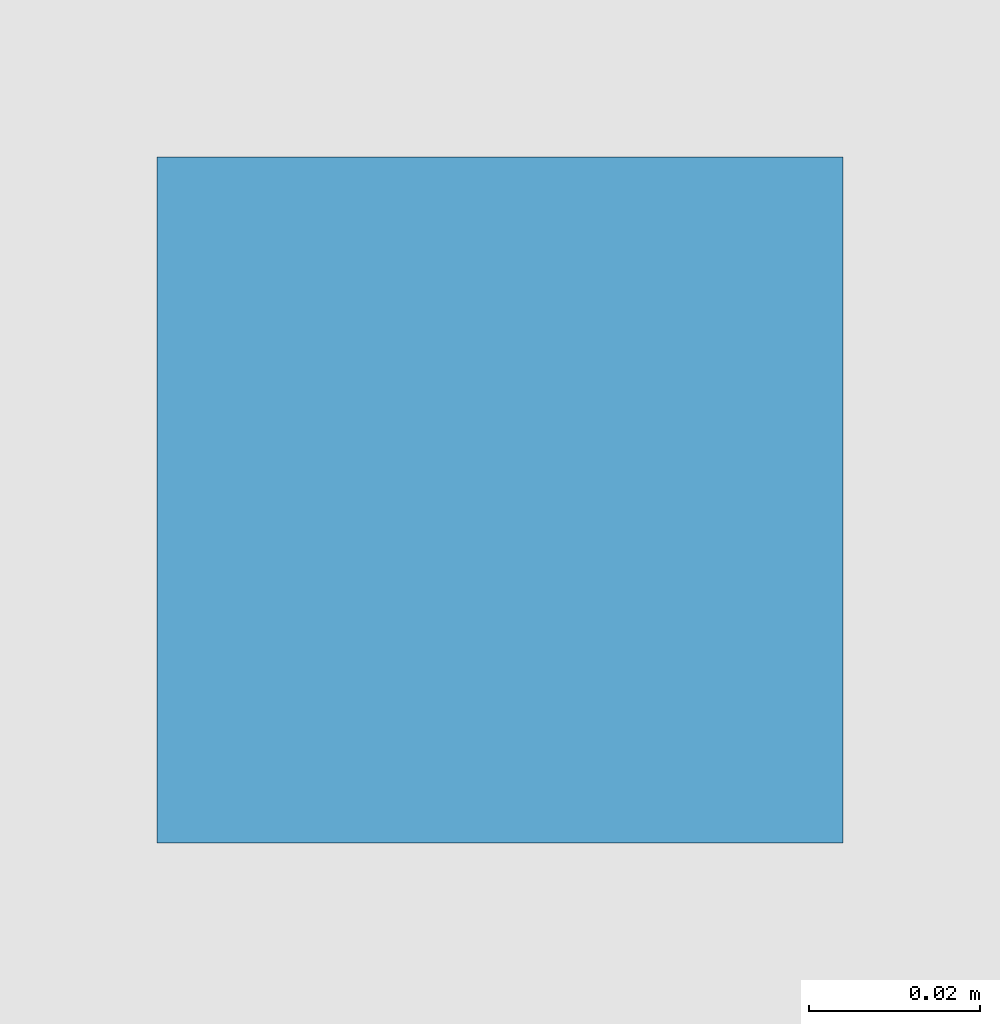
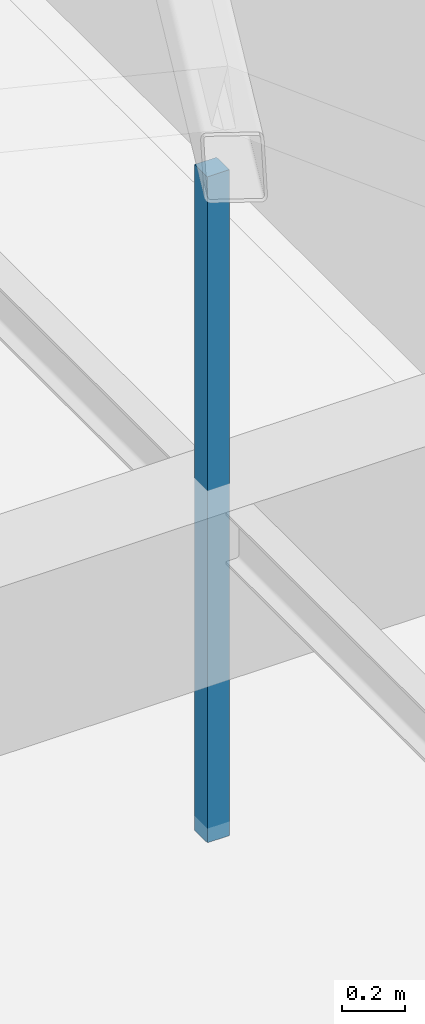
# One storey, part 64 of 65: 1 discrete accessory.
"""IFC4 building model written with IfcOpenShell, lengths in metres."""

import ifcopenshell
import ifcopenshell.guid

model = None  # the IFC model being written
_history = None  # IfcOwnerHistory: only IFC2X3 demands one
_inside = {}  # id of a spatial element -> (the spatial element, [elements in it])
_under = {}  # id of a project, library or spatial element -> (it, [spatial elements below it])
_declared = {}  # id of a project -> (the project, [libraries it declares])
_typed = {}  # id of a type object -> (the type object, [elements of that type])
_made_of = {}  # id of a material, layer set ... -> (it, [elements and type objects made of it])


def new_model(schema):
    """Start an empty IFC model of exactly this schema.

    Asked for "IFC4X3", IfcOpenShell would pick the latest addendum, in which some entities
    have other attributes; the version numbers below select the first issue.
    IFC2X3 requires an IfcOwnerHistory on every rooted entity: one is made here for all.
    """
    global model, _history
    if schema == "IFC4X3":
        model = ifcopenshell.file(schema_version=(4, 3, 0, 0))
    else:
        model = ifcopenshell.file(schema=schema)
    _inside.clear()
    _under.clear()
    _declared.clear()
    _typed.clear()
    _made_of.clear()
    _history = None
    if model.schema == "IFC2X3":
        org = make("IfcOrganization", Name="unknown")
        user = make(
            "IfcPersonAndOrganization",
            ThePerson=make("IfcPerson", FamilyName="unknown"),
            TheOrganization=org,
        )
        app = make(
            "IfcApplication",
            ApplicationDeveloper=org,
            Version="unknown",
            ApplicationFullName="unknown",
            ApplicationIdentifier="unknown",
        )
        _history = make(
            "IfcOwnerHistory",
            OwningUser=user,
            OwningApplication=app,
            ChangeAction="ADDED",
            CreationDate=0,
        )
    return model


def make(cls, **values):
    """One entity of the class cls with the attributes given. An attribute that is None is left unset."""
    return model.create_entity(
        cls, **{name: value for name, value in values.items() if value is not None}
    )


def rooted(cls, **values):
    """An entity with a GlobalId (a new one), such as an element, a storey or a relation."""
    return make(cls, GlobalId=ifcopenshell.guid.new(), OwnerHistory=_history, **values)


def si_unit(unit_type, name, prefix=None):
    """IfcSIUnit, for example si_unit("LENGTHUNIT", "METRE", prefix="MILLI")."""
    return make("IfcSIUnit", UnitType=unit_type, Prefix=prefix, Name=name)


def assignment(units):
    """IfcUnitAssignment: the units of a project."""
    return None if units is None else make("IfcUnitAssignment", Units=units)


def point(xyz):
    """IfcCartesianPoint."""
    return None if xyz is None else make("IfcCartesianPoint", Coordinates=xyz)


def direction(xyz):
    """IfcDirection."""
    return None if xyz is None else make("IfcDirection", DirectionRatios=xyz)


def frame(location, z_axis=None, x_axis=None):
    """IfcAxis2Placement3D, a coordinate frame: its origin and axes. An axis left out is left unset."""
    return make(
        "IfcAxis2Placement3D",
        Location=point(location),
        Axis=direction(z_axis),
        RefDirection=direction(x_axis),
    )


def frame_2d(location, x_axis=None):
    """IfcAxis2Placement2D, a coordinate frame in the plane: its origin and x axis."""
    return make(
        "IfcAxis2Placement2D", Location=point(location), RefDirection=direction(x_axis)
    )


def origin():
    """The frame at (0, 0, 0) with its axes left unset."""
    return frame((0.0, 0.0, 0.0))


def origin_2d():
    """The frame at (0, 0) in the plane with its x axis left unset."""
    return frame_2d((0.0, 0.0))


def place(relative_to, where):
    """IfcLocalPlacement: puts the frame where relative to a parent placement (None: the world)."""
    return make(
        "IfcLocalPlacement", PlacementRelTo=relative_to, RelativePlacement=where
    )


def context(
    kind, dimensions, precision=None, world=None, true_north=None, identifier=None
):
    """IfcGeometricRepresentationContext, for example the 3D "Model" context."""
    return make(
        "IfcGeometricRepresentationContext",
        ContextIdentifier=identifier,
        ContextType=kind,
        CoordinateSpaceDimension=dimensions,
        Precision=precision,
        WorldCoordinateSystem=world,
        TrueNorth=true_north,
    )


def subcontext(parent, identifier, kind, view, scale=None):
    """IfcGeometricRepresentationSubContext, for example "Body" below "Model"."""
    return make(
        "IfcGeometricRepresentationSubContext",
        ContextIdentifier=identifier,
        ContextType=kind,
        ParentContext=parent,
        TargetScale=scale,
        TargetView=view,
    )


def project(units=None, contexts=None):
    """IfcProject with its units and contexts."""
    return rooted(
        "IfcProject",
        Name="project",
        RepresentationContexts=contexts,
        UnitsInContext=assignment(units),
    )


def spatial(cls, under=None, at=None, **own):
    """A site, building, storey or space (cls), placed at a placement, below another one or the project."""
    s = rooted(cls, ObjectPlacement=at, **own)
    if under is not None:
        _under.setdefault(under.id(), (under, []))[1].append(s)
    return s


def profile(cls, at=None, kind="AREA", **sizes):
    """A parametric profile (cls). Its sizes go by their IFC names, for example OverallWidth=200.0."""
    return make(cls, ProfileType=kind, Position=at, **sizes)


def rectangle(**sizes):
    """IfcRectangleProfileDef."""
    return profile("IfcRectangleProfileDef", **sizes)


def extrude(swept, where, along, depth):
    """IfcExtrudedAreaSolid: the profile swept, set in the frame where, extruded along a direction by depth."""
    return make(
        "IfcExtrudedAreaSolid",
        SweptArea=swept,
        Position=where,
        ExtrudedDirection=direction(along),
        Depth=depth,
    )


def shape(context_of_items, identifier, shape_type, items):
    """IfcShapeRepresentation: the items that make up one representation, for example the "Body"."""
    return make(
        "IfcShapeRepresentation",
        ContextOfItems=context_of_items,
        RepresentationIdentifier=identifier,
        RepresentationType=shape_type,
        Items=items,
    )


def material(Name=None, Category=None):
    """IfcMaterial."""
    return make("IfcMaterial", Name=Name, Category=Category)


def layer(
    of_material, thickness, ventilated=None, Name=None, Category=None, Priority=None
):
    """IfcMaterialLayer: one layer of a wall or slab, of a material (None: an air gap)."""
    return make(
        "IfcMaterialLayer",
        Material=of_material,
        LayerThickness=thickness,
        IsVentilated=ventilated,
        Name=Name,
        Category=Category,
        Priority=Priority,
    )


def layer_set(layers, Name=None):
    """IfcMaterialLayerSet."""
    return make("IfcMaterialLayerSet", MaterialLayers=layers, LayerSetName=Name)


def made_of(thing, what):
    """Note that an element or type object is made of a material, layer set ...; save() writes the relation."""
    if what is not None:
        _made_of.setdefault(what.id(), (what, []))[1].append(thing)
    return thing


def type_object(cls, material=None, **own):
    """A type object (cls), such as IfcWallType, which elements share."""
    return made_of(rooted(cls, **own), material)


def element(
    cls,
    number,
    at=None,
    inside=None,
    cuts=None,
    type_object=None,
    material=None,
    context=None,
    identifier="Body",
    shape_type=None,
    held_by="IfcProductDefinitionShape",
    body=None,
    shapes=None,
    **own,
):
    """One element of the class cls, such as IfcWall. Its Tag is "e" and its number.

    at: its placement. inside: the storey or other place that contains it. cuts: it is an
    opening in that element (IfcRelVoidsElement). A single representation is given by context,
    identifier, shape_type and body (its items); several are given by shapes. held_by: the class
    of the entity that holds the representations. save() writes the other relations.
    """
    e = rooted(cls, Tag="e%d" % number, ObjectPlacement=at, **own)
    if body is not None:
        shapes = [shape(context, identifier, shape_type, body)]
    if shapes is not None:
        e.Representation = make(held_by, Representations=shapes)
    if inside is not None:
        _inside.setdefault(inside.id(), (inside, []))[1].append(e)
    if cuts is not None:
        rooted(
            "IfcRelVoidsElement", RelatingBuildingElement=cuts, RelatedOpeningElement=e
        )
    if type_object is not None:
        _typed.setdefault(type_object.id(), (type_object, []))[1].append(e)
    return made_of(e, material)


def aggregate(whole, parts):
    """IfcRelAggregates: a whole, such as a stair, and the parts it consists of."""
    return rooted("IfcRelAggregates", RelatingObject=whole, RelatedObjects=parts)


def save(model, path):
    """Write the relations noted so far, then the file.

    IfcRelAggregates (storeys below a building ...), IfcRelContainedInSpatialStructure (elements
    in a storey), IfcRelDefinesByType, IfcRelAssociatesMaterial and IfcRelDeclares: one each for
    every whole, place, type object, material and project.
    """
    for whole, parts in _under.values():
        aggregate(whole, parts)
    for where, things in _inside.values():
        rooted(
            "IfcRelContainedInSpatialStructure",
            RelatedElements=things,
            RelatingStructure=where,
        )
    for kind, things in _typed.values():
        rooted("IfcRelDefinesByType", RelatedObjects=things, RelatingType=kind)
    for what, things in _made_of.values():
        rooted("IfcRelAssociatesMaterial", RelatedObjects=things, RelatingMaterial=what)
    for by, libraries in _declared.values():
        rooted("IfcRelDeclares", RelatingContext=by, RelatedDefinitions=libraries)
    model.write(path)


model = new_model("IFC4")

# Units and contexts
model_context = context("Model", 3, precision=1e-05, world=origin(), true_north=direction((0.0, 1.0)))
body_context = subcontext(model_context, "Body", "Model", "MODEL_VIEW")
ifc_project = project(units=[si_unit("LENGTHUNIT", "METRE"), si_unit("AREAUNIT", "SQUARE_METRE"), si_unit("VOLUMEUNIT", "CUBIC_METRE"), si_unit("PLANEANGLEUNIT", "RADIAN"), si_unit("MASSUNIT", "GRAM", prefix="KILO")], contexts=[model_context])

# Site, building, storey
site_placement = place(None, origin())
site = spatial("IfcSite", under=ifc_project, at=site_placement, CompositionType="ELEMENT")
building_placement = place(site_placement, origin())
building = spatial("IfcBuilding", under=site, at=building_placement, Name="Varnabhumi Central Station", CompositionType="ELEMENT")
storey_placement = place(building_placement, frame((0.0, 0.0, 24.60009765625)))
storey = spatial("IfcBuildingStorey", under=building, at=storey_placement, Name="L05", CompositionType="ELEMENT", Elevation=24.60009765625)

# Discrete accessory
ifc_material = material(Name="Structural steel E350", Category="steel")
ifc_layer = layer(ifc_material, 0.159912109375, Name="Structural steel E350", Category="steel")
ifc_layer_set = layer_set([ifc_layer], Name="Structural steel E350")
discrete_accessory_type = type_object("IfcDiscreteAccessoryType", Name="ACC-SHADE-BRKT", PredefinedType="BRACKET", material=ifc_layer_set)
discrete_accessory_placement = place(storey_placement, frame((156.0, 27.0, 2.83984375), z_axis=(0.0, 0.0, 1.0), x_axis=(1.0, 0.0, 0.0)))
element("IfcDiscreteAccessory", 1, at=discrete_accessory_placement, inside=storey, type_object=discrete_accessory_type, Name="Running Staff Quiet Rest Lounge East Ceiling Hanger", PredefinedType="BRACKET", context=body_context, shape_type="SweptSolid", body=[
    extrude(rectangle(XDim=0.080078125, YDim=0.080078125, at=origin_2d()), origin(), (0.0, 0.0, 1.0), 2.570068359375),
])

save(model, "model.ifc")
